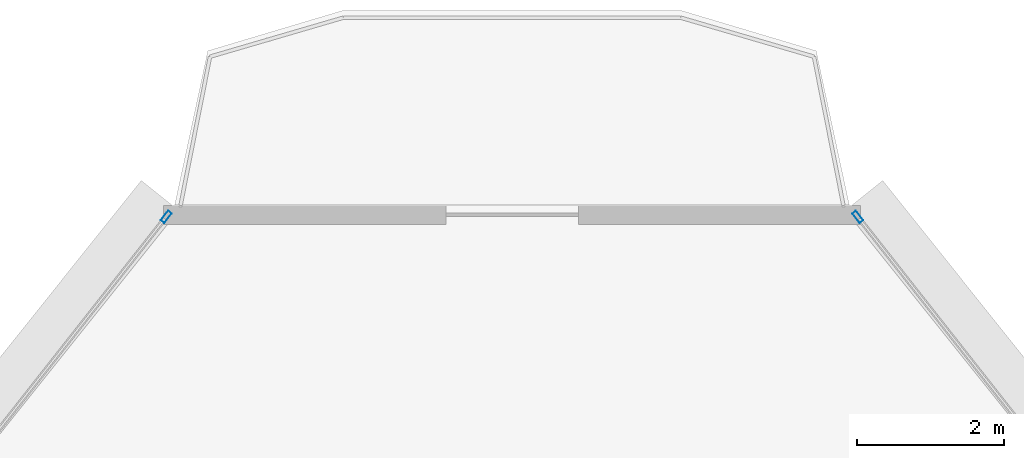
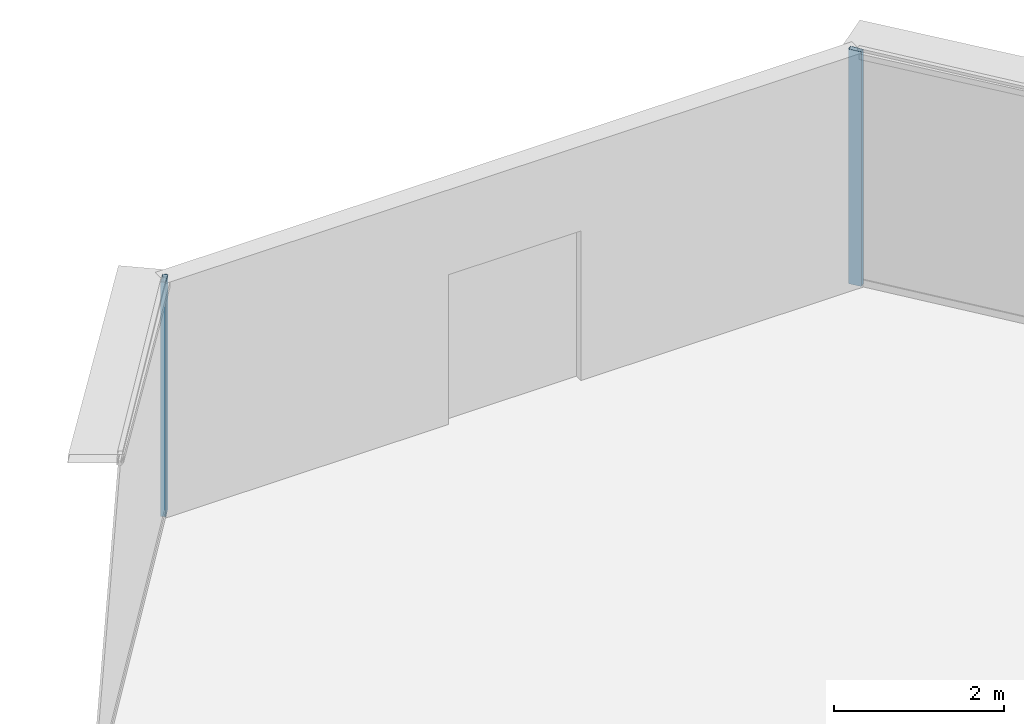
# One storey, part 26 of 37: 2 members, 2 elements without a shape of their own.
"""IFC4 building model written with IfcOpenShell, lengths in metres."""

from ifc_helpers import new_model, si_unit, direction, frame, origin, origin_2d, place, context, subcontext, project, spatial, hollow_rectangle, extrude, source, transform, mapped, material, layer, layer_set, material_profile, profile_set, type_object, element, aggregate, save


model = new_model("IFC4")

# Units and contexts
model_context = context("Model", 3, precision=1e-05, world=origin(), true_north=direction((0.0, 1.0)))
body_context = subcontext(model_context, "Body", "Model", "MODEL_VIEW")
ifc_project = project(units=[si_unit("LENGTHUNIT", "METRE"), si_unit("AREAUNIT", "SQUARE_METRE"), si_unit("VOLUMEUNIT", "CUBIC_METRE"), si_unit("PLANEANGLEUNIT", "RADIAN"), si_unit("MASSUNIT", "GRAM", prefix="KILO"), si_unit("THERMODYNAMICTEMPERATUREUNIT", "KELVIN"), si_unit("POWERUNIT", "WATT")], contexts=[model_context])

# Site, building, storey
site_placement = place(None, origin())
site = spatial("IfcSite", under=ifc_project, at=site_placement, CompositionType="ELEMENT")
building_placement = place(site_placement, origin())
building = spatial("IfcBuilding", under=site, at=building_placement, Name="Yunzhuo Pagoda Commons", CompositionType="ELEMENT")
storey_placement = place(building_placement, frame((0.0, 0.0, 55.81005859375)))
storey = spatial("IfcBuildingStorey", under=building, at=storey_placement, Name="L14", CompositionType="ELEMENT", Elevation=55.81005859375)

# Curtain wall, member
ifc_material = material(Name="Anodized aluminium 6063-T6", Category="aluminium")
ifc_layer = layer(ifc_material, 0.1650390625)
ifc_layer_set = layer_set([ifc_layer], Name="Anodized aluminium 6063-T6")
curtain_wall_type = type_object("IfcCurtainWallType", Name="CW-LOW Low-Zone Ribbon Curtain Wall", PredefinedType="NOTDEFINED", material=ifc_layer_set)
curtain_wall_1_placement = place(storey_placement, origin())
curtain_wall_1 = element("IfcCurtainWall", 1, at=curtain_wall_1_placement, inside=storey, type_object=curtain_wall_type, Name="L14 curtain wall CW-L14-F2B5", PredefinedType="NOTDEFINED")
ifc_material_profile = material_profile(ifc_material, hollow_rectangle(XDim=0.06494140625, YDim=0.1650390625, WallThickness=0.00390625, at=origin_2d()), Name="Anodized aluminium 6063-T6")
ifc_profile_set = profile_set([ifc_material_profile], Name="Anodized aluminium 6063-T6")
member_type = type_object("IfcMemberType", Name="CW-LOW-M Mullion RHS 165x65x4", PredefinedType="MULLION", material=ifc_profile_set)
shared_shape = source(origin(), body_context, "Body", "SweptSolid", [
    extrude(hollow_rectangle(XDim=0.06494140625, YDim=0.1650390625, WallThickness=0.00390625, at=origin_2d()), origin(), (0.0, 0.0, 1.0), 3.369873046875),
])
member_1_placement = place(storey_placement, frame((52.6982421875, 88.124755859375, 0.0), z_axis=(0.0, 0.0, 1.0), x_axis=(-0.785963833081, -0.618272474794, 0.0)))
member_1 = element("IfcMember", 2, at=member_1_placement, type_object=member_type, Name="CW mullion 2", PredefinedType="MULLION", context=body_context, shape_type="MappedRepresentation", body=[
    mapped(shared_shape, transform((0.0, 0.0, 0.0), scale=1.0)),
])
aggregate(curtain_wall_1, [member_1])

curtain_wall_2_placement = place(storey_placement, origin())
curtain_wall_2 = element("IfcCurtainWall", 3, at=curtain_wall_2_placement, inside=storey, type_object=curtain_wall_type, Name="L14 curtain wall CW-L14-F3B1", PredefinedType="NOTDEFINED")
member_2_placement = place(storey_placement, frame((43.3017578125, 88.124755859375, 0.0), z_axis=(0.0, 0.0, 1.0), x_axis=(0.785963833081, -0.618272474794, 0.0)))
member_2 = element("IfcMember", 4, at=member_2_placement, type_object=member_type, Name="CW mullion 1", PredefinedType="MULLION", context=body_context, shape_type="MappedRepresentation", body=[
    mapped(shared_shape, transform((0.0, 0.0, 0.0), scale=1.0)),
])
aggregate(curtain_wall_2, [member_2])

save(model, "model.ifc")
